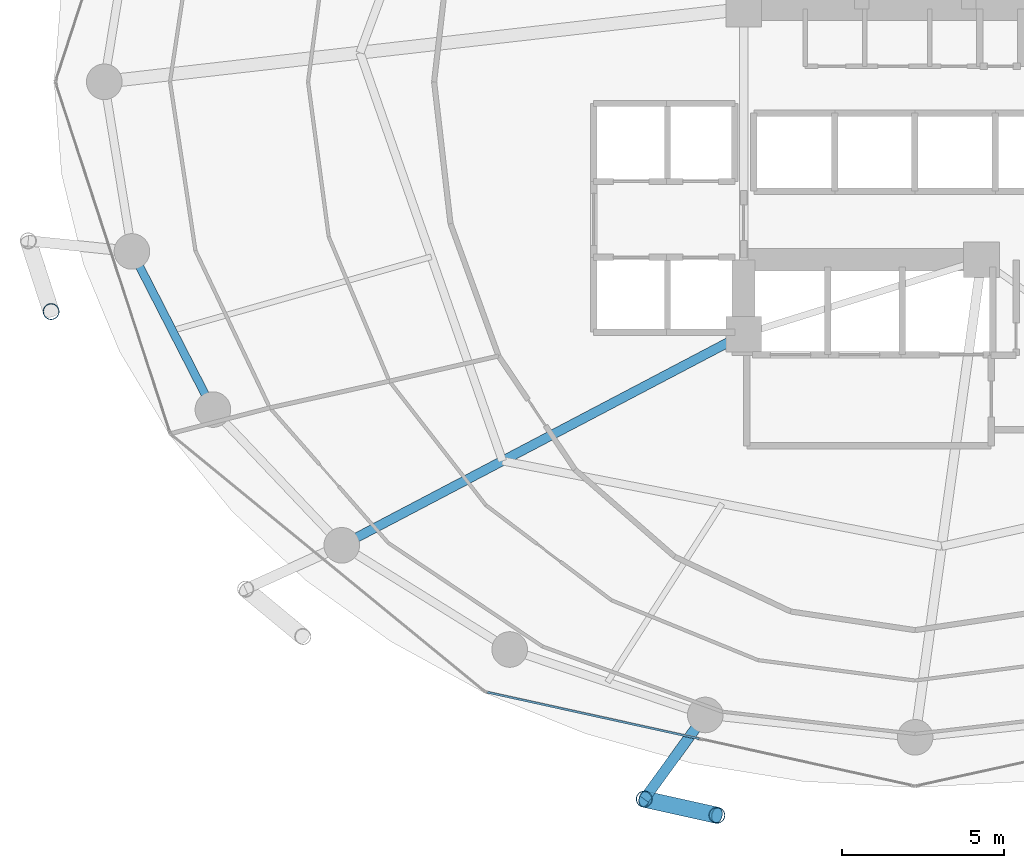
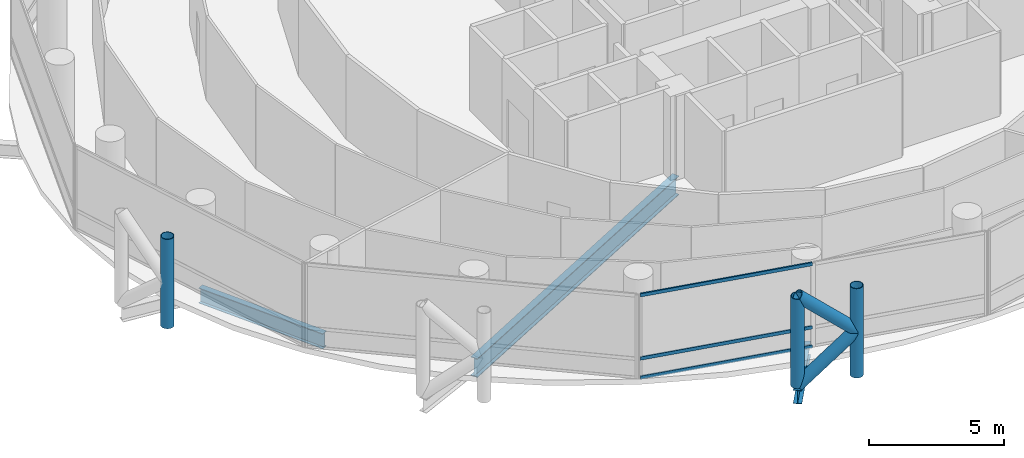
# One storey, part 3 of 26: 8 members, 3 beams, 1 element without a shape of its own.
"""IFC4 building model written with IfcOpenShell, lengths in metres."""

import ifcopenshell
import ifcopenshell.guid

model = None  # the IFC model being written
_history = None  # IfcOwnerHistory: only IFC2X3 demands one
_inside = {}  # id of a spatial element -> (the spatial element, [elements in it])
_under = {}  # id of a project, library or spatial element -> (it, [spatial elements below it])
_declared = {}  # id of a project -> (the project, [libraries it declares])
_typed = {}  # id of a type object -> (the type object, [elements of that type])
_made_of = {}  # id of a material, layer set ... -> (it, [elements and type objects made of it])


def new_model(schema):
    """Start an empty IFC model of exactly this schema.

    Asked for "IFC4X3", IfcOpenShell would pick the latest addendum, in which some entities
    have other attributes; the version numbers below select the first issue.
    IFC2X3 requires an IfcOwnerHistory on every rooted entity: one is made here for all.
    """
    global model, _history
    if schema == "IFC4X3":
        model = ifcopenshell.file(schema_version=(4, 3, 0, 0))
    else:
        model = ifcopenshell.file(schema=schema)
    _inside.clear()
    _under.clear()
    _declared.clear()
    _typed.clear()
    _made_of.clear()
    _history = None
    if model.schema == "IFC2X3":
        org = make("IfcOrganization", Name="unknown")
        user = make(
            "IfcPersonAndOrganization",
            ThePerson=make("IfcPerson", FamilyName="unknown"),
            TheOrganization=org,
        )
        app = make(
            "IfcApplication",
            ApplicationDeveloper=org,
            Version="unknown",
            ApplicationFullName="unknown",
            ApplicationIdentifier="unknown",
        )
        _history = make(
            "IfcOwnerHistory",
            OwningUser=user,
            OwningApplication=app,
            ChangeAction="ADDED",
            CreationDate=0,
        )
    return model


def make(cls, **values):
    """One entity of the class cls with the attributes given. An attribute that is None is left unset."""
    return model.create_entity(
        cls, **{name: value for name, value in values.items() if value is not None}
    )


def rooted(cls, **values):
    """An entity with a GlobalId (a new one), such as an element, a storey or a relation."""
    return make(cls, GlobalId=ifcopenshell.guid.new(), OwnerHistory=_history, **values)


def si_unit(unit_type, name, prefix=None):
    """IfcSIUnit, for example si_unit("LENGTHUNIT", "METRE", prefix="MILLI")."""
    return make("IfcSIUnit", UnitType=unit_type, Prefix=prefix, Name=name)


def assignment(units):
    """IfcUnitAssignment: the units of a project."""
    return None if units is None else make("IfcUnitAssignment", Units=units)


def point(xyz):
    """IfcCartesianPoint."""
    return None if xyz is None else make("IfcCartesianPoint", Coordinates=xyz)


def direction(xyz):
    """IfcDirection."""
    return None if xyz is None else make("IfcDirection", DirectionRatios=xyz)


def frame(location, z_axis=None, x_axis=None):
    """IfcAxis2Placement3D, a coordinate frame: its origin and axes. An axis left out is left unset."""
    return make(
        "IfcAxis2Placement3D",
        Location=point(location),
        Axis=direction(z_axis),
        RefDirection=direction(x_axis),
    )


def frame_2d(location, x_axis=None):
    """IfcAxis2Placement2D, a coordinate frame in the plane: its origin and x axis."""
    return make(
        "IfcAxis2Placement2D", Location=point(location), RefDirection=direction(x_axis)
    )


def origin():
    """The frame at (0, 0, 0) with its axes left unset."""
    return frame((0.0, 0.0, 0.0))


def origin_2d():
    """The frame at (0, 0) in the plane with its x axis left unset."""
    return frame_2d((0.0, 0.0))


def place(relative_to, where):
    """IfcLocalPlacement: puts the frame where relative to a parent placement (None: the world)."""
    return make(
        "IfcLocalPlacement", PlacementRelTo=relative_to, RelativePlacement=where
    )


def context(
    kind, dimensions, precision=None, world=None, true_north=None, identifier=None
):
    """IfcGeometricRepresentationContext, for example the 3D "Model" context."""
    return make(
        "IfcGeometricRepresentationContext",
        ContextIdentifier=identifier,
        ContextType=kind,
        CoordinateSpaceDimension=dimensions,
        Precision=precision,
        WorldCoordinateSystem=world,
        TrueNorth=true_north,
    )


def subcontext(parent, identifier, kind, view, scale=None):
    """IfcGeometricRepresentationSubContext, for example "Body" below "Model"."""
    return make(
        "IfcGeometricRepresentationSubContext",
        ContextIdentifier=identifier,
        ContextType=kind,
        ParentContext=parent,
        TargetScale=scale,
        TargetView=view,
    )


def project(units=None, contexts=None):
    """IfcProject with its units and contexts."""
    return rooted(
        "IfcProject",
        Name="project",
        RepresentationContexts=contexts,
        UnitsInContext=assignment(units),
    )


def spatial(cls, under=None, at=None, **own):
    """A site, building, storey or space (cls), placed at a placement, below another one or the project."""
    s = rooted(cls, ObjectPlacement=at, **own)
    if under is not None:
        _under.setdefault(under.id(), (under, []))[1].append(s)
    return s


def profile(cls, at=None, kind="AREA", **sizes):
    """A parametric profile (cls). Its sizes go by their IFC names, for example OverallWidth=200.0."""
    return make(cls, ProfileType=kind, Position=at, **sizes)


def hollow_rectangle(**sizes):
    """IfcRectangleHollowProfileDef."""
    return profile("IfcRectangleHollowProfileDef", **sizes)


def hollow_circle(**sizes):
    """IfcCircleHollowProfileDef."""
    return profile("IfcCircleHollowProfileDef", **sizes)


def i_section(**sizes):
    """IfcIShapeProfileDef."""
    return profile("IfcIShapeProfileDef", **sizes)


def extrude(swept, where, along, depth):
    """IfcExtrudedAreaSolid: the profile swept, set in the frame where, extruded along a direction by depth."""
    return make(
        "IfcExtrudedAreaSolid",
        SweptArea=swept,
        Position=where,
        ExtrudedDirection=direction(along),
        Depth=depth,
    )


def shape(context_of_items, identifier, shape_type, items):
    """IfcShapeRepresentation: the items that make up one representation, for example the "Body"."""
    return make(
        "IfcShapeRepresentation",
        ContextOfItems=context_of_items,
        RepresentationIdentifier=identifier,
        RepresentationType=shape_type,
        Items=items,
    )


def material(Name=None, Category=None):
    """IfcMaterial."""
    return make("IfcMaterial", Name=Name, Category=Category)


def layer(
    of_material, thickness, ventilated=None, Name=None, Category=None, Priority=None
):
    """IfcMaterialLayer: one layer of a wall or slab, of a material (None: an air gap)."""
    return make(
        "IfcMaterialLayer",
        Material=of_material,
        LayerThickness=thickness,
        IsVentilated=ventilated,
        Name=Name,
        Category=Category,
        Priority=Priority,
    )


def layer_set(layers, Name=None):
    """IfcMaterialLayerSet."""
    return make("IfcMaterialLayerSet", MaterialLayers=layers, LayerSetName=Name)


def material_profile(
    of_material, cross_section, Name=None, Category=None, Priority=None
):
    """IfcMaterialProfile: a cross section and its material."""
    return make(
        "IfcMaterialProfile",
        Name=Name,
        Material=of_material,
        Profile=cross_section,
        Priority=Priority,
        Category=Category,
    )


def profile_set(profiles, Name=None, composite=None):
    """IfcMaterialProfileSet."""
    return make(
        "IfcMaterialProfileSet",
        Name=Name,
        MaterialProfiles=profiles,
        CompositeProfile=composite,
    )


def made_of(thing, what):
    """Note that an element or type object is made of a material, layer set ...; save() writes the relation."""
    if what is not None:
        _made_of.setdefault(what.id(), (what, []))[1].append(thing)
    return thing


def type_object(cls, material=None, **own):
    """A type object (cls), such as IfcWallType, which elements share."""
    return made_of(rooted(cls, **own), material)


def element(
    cls,
    number,
    at=None,
    inside=None,
    cuts=None,
    type_object=None,
    material=None,
    context=None,
    identifier="Body",
    shape_type=None,
    held_by="IfcProductDefinitionShape",
    body=None,
    shapes=None,
    **own,
):
    """One element of the class cls, such as IfcWall. Its Tag is "e" and its number.

    at: its placement. inside: the storey or other place that contains it. cuts: it is an
    opening in that element (IfcRelVoidsElement). A single representation is given by context,
    identifier, shape_type and body (its items); several are given by shapes. held_by: the class
    of the entity that holds the representations. save() writes the other relations.
    """
    e = rooted(cls, Tag="e%d" % number, ObjectPlacement=at, **own)
    if body is not None:
        shapes = [shape(context, identifier, shape_type, body)]
    if shapes is not None:
        e.Representation = make(held_by, Representations=shapes)
    if inside is not None:
        _inside.setdefault(inside.id(), (inside, []))[1].append(e)
    if cuts is not None:
        rooted(
            "IfcRelVoidsElement", RelatingBuildingElement=cuts, RelatedOpeningElement=e
        )
    if type_object is not None:
        _typed.setdefault(type_object.id(), (type_object, []))[1].append(e)
    return made_of(e, material)


def aggregate(whole, parts):
    """IfcRelAggregates: a whole, such as a stair, and the parts it consists of."""
    return rooted("IfcRelAggregates", RelatingObject=whole, RelatedObjects=parts)


def save(model, path):
    """Write the relations noted so far, then the file.

    IfcRelAggregates (storeys below a building ...), IfcRelContainedInSpatialStructure (elements
    in a storey), IfcRelDefinesByType, IfcRelAssociatesMaterial and IfcRelDeclares: one each for
    every whole, place, type object, material and project.
    """
    for whole, parts in _under.values():
        aggregate(whole, parts)
    for where, things in _inside.values():
        rooted(
            "IfcRelContainedInSpatialStructure",
            RelatedElements=things,
            RelatingStructure=where,
        )
    for kind, things in _typed.values():
        rooted("IfcRelDefinesByType", RelatedObjects=things, RelatingType=kind)
    for what, things in _made_of.values():
        rooted("IfcRelAssociatesMaterial", RelatedObjects=things, RelatingMaterial=what)
    for by, libraries in _declared.values():
        rooted("IfcRelDeclares", RelatingContext=by, RelatedDefinitions=libraries)
    model.write(path)


model = new_model("IFC4")

# Units and contexts
model_context = context("Model", 3, precision=1e-05, world=origin(), true_north=direction((0.0, 1.0)))
body_context = subcontext(model_context, "Body", "Model", "MODEL_VIEW")
ifc_project = project(units=[si_unit("LENGTHUNIT", "METRE"), si_unit("AREAUNIT", "SQUARE_METRE"), si_unit("VOLUMEUNIT", "CUBIC_METRE"), si_unit("PLANEANGLEUNIT", "RADIAN"), si_unit("MASSUNIT", "GRAM", prefix="KILO")], contexts=[model_context])

# Site, building, storey
site_placement = place(None, origin())
site = spatial("IfcSite", under=ifc_project, at=site_placement, CompositionType="ELEMENT")
building_placement = place(site_placement, origin())
building = spatial("IfcBuilding", under=site, at=building_placement, Name="Nuhasar Tower", CompositionType="ELEMENT")
storey_placement = place(building_placement, frame((0.0, 0.0, 97.949951171875)))
storey = spatial("IfcBuildingStorey", under=building, at=storey_placement, Name="L23", CompositionType="ELEMENT", Elevation=97.949951171875)

# Beams
ifc_material_1 = material(Name="Steel S355", Category="steel")
ifc_material_profile_1 = material_profile(ifc_material_1, i_section(OverallWidth=0.2919921875, OverallDepth=0.85888671875, WebThickness=0.01708984375, FlangeThickness=0.031005859375, at=origin_2d()), Name="W33X169")
ifc_profile_set_1 = profile_set([ifc_material_profile_1], Name="Steel S355")
beam_type_1 = type_object("IfcBeamType", Name="BM-POD-W33X169", PredefinedType="BEAM", material=ifc_profile_set_1)
beam_1_placement = place(storey_placement, frame((33.699951171875, 19.0, -0.679931640625), z_axis=(-0.885330348705, -0.464962550816, 0.0), x_axis=(0.464962550816, -0.885330348705, 0.0)))
element("IfcBeam", 1, at=beam_1_placement, inside=storey, type_object=beam_type_1, Name="L23 Radial Floor Girder 01", PredefinedType="BEAM", context=body_context, shape_type="SweptSolid", body=[
    extrude(i_section(OverallWidth=0.2919921875, OverallDepth=0.85888671875, WebThickness=0.01708984375, FlangeThickness=0.031005859375, at=origin_2d()), origin(), (0.0, 0.0, 1.0), 14.0205078125),
])
ifc_material_profile_2 = material_profile(ifc_material_1, i_section(OverallWidth=0.256103515625, OverallDepth=0.693115234375, WebThickness=0.014404296875, FlangeThickness=0.023681640625, at=origin_2d()), Name="W27X114")
ifc_profile_set_2 = profile_set([ifc_material_profile_2], Name="Steel S355")
beam_type_2 = type_object("IfcBeamType", Name="BM-RING-W27X114", PredefinedType="SPANDREL", material=ifc_profile_set_2)
beam_2_placement = place(storey_placement, frame((14.803955078125, 21.55908203125, -0.596923828125), z_axis=(0.455930023905, -0.890015625314, 0.0), x_axis=(0.890015625314, 0.455930023905, 0.0)))
element("IfcBeam", 2, at=beam_2_placement, inside=storey, type_object=beam_type_2, Name="L23 Perimeter Ring Spandrel 14", PredefinedType="SPANDREL", context=body_context, shape_type="SweptSolid", body=[
    extrude(i_section(OverallWidth=0.256103515625, OverallDepth=0.693115234375, WebThickness=0.014404296875, FlangeThickness=0.023681640625, at=origin_2d()), origin(), (0.0, 0.0, 1.0), 5.487548828125),
])
ifc_material_profile_3 = material_profile(ifc_material_1, i_section(OverallWidth=0.323974609375, OverallDepth=0.611083984375, WebThickness=0.0126953125, FlangeThickness=0.01904296875, at=origin_2d()), Name="W24X104")
ifc_profile_set_3 = profile_set([ifc_material_profile_3], Name="Steel S355")
beam_type_3 = type_object("IfcBeamType", Name="BM-TIE-W24X104", PredefinedType="BEAM", material=ifc_profile_set_3)
beam_3_placement = place(storey_placement, frame((32.51708984375, 7.239990234375, -0.554931640625), z_axis=(-0.587403316448, -0.809294349311, 0.0), x_axis=(0.809294349311, -0.587403316448, 0.0)))
element("IfcBeam", 3, at=beam_3_placement, inside=storey, type_object=beam_type_3, Name="L23 Exoskeleton Node Tie Beam 09", PredefinedType="BEAM", context=body_context, shape_type="SweptSolid", body=[
    extrude(i_section(OverallWidth=0.323974609375, OverallDepth=0.611083984375, WebThickness=0.0126953125, FlangeThickness=0.01904296875, at=origin_2d()), origin(), (0.0, 0.0, 1.0), 3.212890625),
])

# Curtain wall, members
ifc_material_2 = material(Name="Aluminium 6063-T6", Category="aluminium")
ifc_layer = layer(ifc_material_2, 0.199951171875)
ifc_layer_set = layer_set([ifc_layer], Name="Aluminium 6063-T6")
curtain_wall_type = type_object("IfcCurtainWallType", Name="CW-Z1-OFF", PredefinedType="NOTDEFINED", material=ifc_layer_set)
curtain_wall_placement = place(storey_placement, origin())
curtain_wall = element("IfcCurtainWall", 4, at=curtain_wall_placement, inside=storey, type_object=curtain_wall_type, Name="L23 Unitised Curtain Wall 09", PredefinedType="NOTDEFINED")
ifc_material_profile_4 = material_profile(ifc_material_2, hollow_rectangle(XDim=0.06494140625, YDim=0.14990234375, WallThickness=0.00439453125, at=origin_2d()), Name="CWT-2")
ifc_profile_set_4 = profile_set([ifc_material_profile_4], Name="Aluminium 6063-T6")
member_type_1 = type_object("IfcMemberType", Name="CW-TRN-S2", PredefinedType="USERDEFINED", material=ifc_profile_set_4)
member_1_placement = place(storey_placement, frame((25.783447265625, 7.941162109375, 0.032470703125), z_axis=(0.976741923778, -0.214418316228, 0.0), x_axis=(0.214418316228, 0.976741923778, 0.0)))
member_1 = element("IfcMember", 5, at=member_1_placement, type_object=member_type_1, Name="CW-Z1 transom 1.1", ObjectType="TRANSOM", PredefinedType="USERDEFINED", context=body_context, shape_type="SweptSolid", body=[
    extrude(hollow_rectangle(XDim=0.06494140625, YDim=0.14990234375, WallThickness=0.00439453125, at=origin_2d()), origin(), (0.0, 0.0, 1.0), 6.70068359375),
])
member_2_placement = place(storey_placement, frame((25.783447265625, 7.941162109375, 0.900146484375), z_axis=(0.976741923778, -0.214418316228, 0.0), x_axis=(0.214418316228, 0.976741923778, 0.0)))
member_2 = element("IfcMember", 6, at=member_2_placement, type_object=member_type_1, Name="CW-Z1 transom 1.2", ObjectType="TRANSOM", PredefinedType="USERDEFINED", context=body_context, shape_type="SweptSolid", body=[
    extrude(hollow_rectangle(XDim=0.06494140625, YDim=0.14990234375, WallThickness=0.00439453125, at=origin_2d()), origin(), (0.0, 0.0, 1.0), 6.70068359375),
])
member_3_placement = place(storey_placement, frame((25.783447265625, 7.941162109375, 3.767578125), z_axis=(0.976741923778, -0.214418316228, 0.0), x_axis=(0.214418316228, 0.976741923778, 0.0)))
member_3 = element("IfcMember", 7, at=member_3_placement, type_object=member_type_1, Name="CW-Z1 transom 1.3", ObjectType="TRANSOM", PredefinedType="USERDEFINED", context=body_context, shape_type="SweptSolid", body=[
    extrude(hollow_rectangle(XDim=0.06494140625, YDim=0.14990234375, WallThickness=0.00439453125, at=origin_2d()), origin(), (0.0, 0.0, 1.0), 6.70068359375),
])
aggregate(curtain_wall, [member_1, member_2, member_3])

# Members
ifc_material_3 = material(Name="Steel S460", Category="steel")
ifc_material_profile_5 = material_profile(ifc_material_3, hollow_circle(Radius=0.25390625, WallThickness=0.025390625, at=origin_2d()), Name="HSS508X25.4")
ifc_profile_set_5 = profile_set([ifc_material_profile_5], Name="Steel S460")
member_type_2 = type_object("IfcMemberType", Name="EXO-BRONZE-508", PredefinedType="BRACE", material=ifc_profile_set_5)
for number, where, z_axis, x_axis, name in (
    (8, (12.30810546875, 19.700927734375, 0.0), (0.0, 0.0, 1.0), (1.0, 0.0, 0.0), "L23 Exoskeleton Chord Column EC-07B"),
    (9, (30.6298828125, 4.639892578125, 0.0), (0.0, 0.0, 1.0), (1.0, 0.0, 0.0), "L23 Exoskeleton Chord Column EC-09A"),
    (10, (32.8759765625, 4.14111328125, 0.0), (0.0, 0.0, 1.0), (1.0, 0.0, 0.0), "L23 Exoskeleton Chord Column EC-09B"),
):
    element("IfcMember", number, at=place(storey_placement, frame(where, z_axis=z_axis, x_axis=x_axis)), inside=storey, type_object=member_type_2, Name=name, PredefinedType="BRACE", context=body_context, shape_type="SweptSolid", body=[
        extrude(hollow_circle(Radius=0.25390625, WallThickness=0.025390625, at=origin_2d()), origin(), (0.0, 0.0, 1.0), 4.050048828125),
    ])
member_4_placement = place(storey_placement, frame((30.6298828125, 4.639892578125, 0.0), z_axis=(0.732792408767, -0.162727705556, 0.660707938122), x_axis=(0.216784396973, 0.976219506683, 0.0)))
element("IfcMember", 11, at=member_4_placement, inside=storey, type_object=member_type_2, Name="L23 Bronze Diagrid Brace W1-09", PredefinedType="BRACE", context=body_context, shape_type="SweptSolid", body=[
    extrude(hollow_circle(Radius=0.25390625, WallThickness=0.025390625, at=origin_2d()), origin(), (0.0, 0.0, 1.0), 3.065185546875),
])
member_5_placement = place(storey_placement, frame((32.8759765625, 4.14111328125, 2.025146484375), z_axis=(-0.732830973624, 0.162736269469, 0.66066305383), x_axis=(-0.216784396973, -0.976219506683, 0.0)))
element("IfcMember", 12, at=member_5_placement, inside=storey, type_object=member_type_2, Name="L23 Bronze Diagrid Brace W2-09", PredefinedType="BRACE", context=body_context, shape_type="SweptSolid", body=[
    extrude(hollow_circle(Radius=0.25390625, WallThickness=0.025390625, at=origin_2d()), origin(), (0.0, 0.0, 1.0), 3.06494140625),
])

save(model, "model.ifc")
